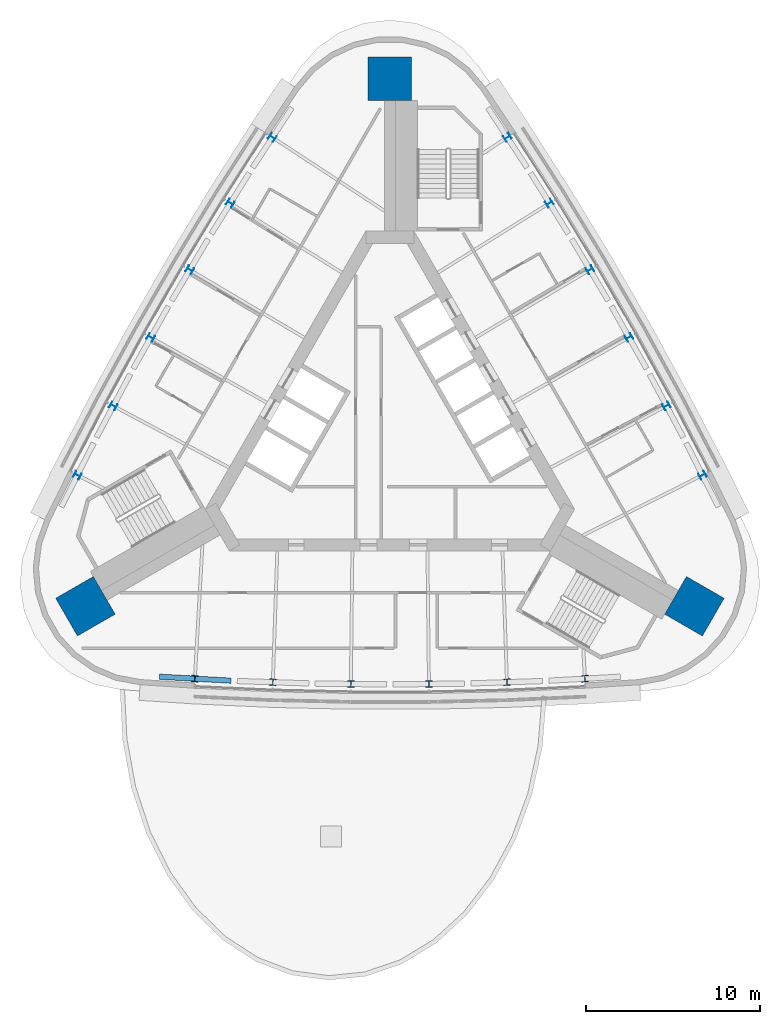
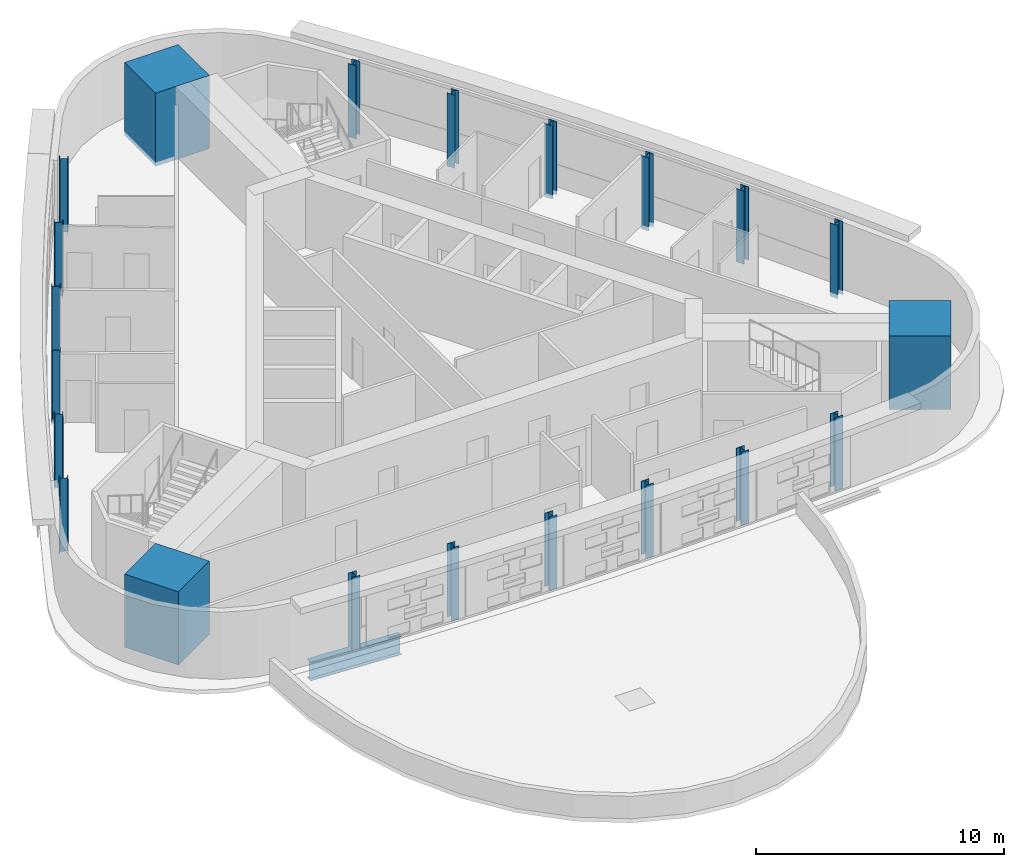
# One storey, part 1 of 9: 21 columns, 1 beam.
"""IFC4 building model written with IfcOpenShell, lengths in metres."""

from ifc_helpers import new_model, si_unit, direction, frame, origin, origin_2d, place, context, subcontext, project, spatial, rectangle, i_section, extrude, material, material_profile, profile_set, type_object, element, save


model = new_model("IFC4")

# Units and contexts
model_context = context("Model", 3, precision=1e-05, world=origin(), true_north=direction((0.0, 1.0)))
body_context = subcontext(model_context, "Body", "Model", "MODEL_VIEW")
ifc_project = project(units=[si_unit("LENGTHUNIT", "METRE"), si_unit("AREAUNIT", "SQUARE_METRE"), si_unit("VOLUMEUNIT", "CUBIC_METRE"), si_unit("PLANEANGLEUNIT", "RADIAN"), si_unit("MASSUNIT", "GRAM", prefix="KILO")], contexts=[model_context])

# Site, building, storey
site_placement = place(None, origin())
site = spatial("IfcSite", under=ifc_project, at=site_placement, CompositionType="ELEMENT")
building_placement = place(site_placement, origin())
building = spatial("IfcBuilding", under=site, at=building_placement, Name="Noor Cloister Tower", CompositionType="ELEMENT")
storey_placement = place(building_placement, frame((0.0, 0.0, 229.199951171875)))
storey = spatial("IfcBuildingStorey", under=building, at=storey_placement, Name="L59", CompositionType="ELEMENT", Elevation=229.199951171875)

# Columns
ifc_material_1 = material(Name="Steel ASTM A992 Gr 50", Category="steel")
ifc_material_profile_1 = material_profile(ifc_material_1, i_section(OverallWidth=0.373046875, OverallDepth=0.367919921875, WebThickness=0.014892578125, FlangeThickness=0.02392578125, FilletRadius=0.01513671875, at=origin_2d()), Name="W360x179")
ifc_profile_set_1 = profile_set([ifc_material_profile_1], Name="Steel ASTM A992 Gr 50")
column_type_1 = type_object("IfcColumnType", Name="Column W360x179", PredefinedType="COLUMN", material=ifc_profile_set_1)
for number, where, z_axis, x_axis, name in (
    (1, (-6.752685546875, 16.84619140625, -0.199951171875), (0.0, 0.0, 1.0), (-0.5482122141, -0.836339266274, 0.0), "Column NW 01 L59"),
    (2, (-9.169921875, 13.0654296875, -0.199951171875), (0.0, 0.0, 1.0), (-0.529129681863, -0.84854097118, 0.0), "Column NW 02 L59"),
    (3, (-11.501220703125, 9.23095703125, -0.199951171875), (0.0, 0.0, 1.0), (-0.509775693078, -0.860307353652, 0.0), "Column NW 03 L59"),
    (4, (-13.744873046875, 5.3447265625, -0.199951171875), (0.0, 0.0, 1.0), (-0.490160176786, -0.871632377263, 0.0), "Column NW 04 L59"),
    (5, (-15.89990234375, 1.40869140625, -0.199951171875), (0.0, 0.0, 1.0), (-0.470293196262, -0.88251023198, 0.0), "Column NW 05 L59"),
    (6, (-17.96533203125, -2.5751953125, -0.199951171875), (0.0, 0.0, 1.0), (-0.450184943726, -0.892935337212, 0.0), "Column NW 06 L59"),
    (7, (-11.212890625, -14.27099609375, -0.199951171875), (0.0, 0.0, 1.0), (0.998397157826, -0.056596070938, 0.0), "Column S 01 L59"),
    (8, (-6.72998046875, -14.47412109375, -0.199951171875), (0.0, 0.0, 1.0), (0.999422878126, -0.0339692608, 0.0), "Column S 02 L59"),
    (9, (-2.24365234375, -14.575927734375, -0.199951171875), (0.0, 0.0, 1.0), (0.999935869864, -0.011325023611, 0.0), "Column S 03 L59"),
    (10, (2.24365234375, -14.575927734375, -0.199951171875), (0.0, 0.0, 1.0), (0.999935869864, 0.011325023611, 0.0), "Column S 04 L59"),
    (11, (6.72998046875, -14.47412109375, -0.199951171875), (0.0, 0.0, 1.0), (0.999422878126, 0.0339692608, 0.0), "Column S 05 L59"),
    (12, (11.212890625, -14.27099609375, -0.199951171875), (0.0, 0.0, 1.0), (0.998397157826, 0.056596070938, 0.0), "Column S 06 L59"),
    (13, (17.96533203125, -2.5751953125, -0.199951171875), (0.0, 0.0, 1.0), (-0.450184943726, 0.892935337212, 0.0), "Column NE 01 L59"),
    (14, (15.89990234375, 1.40869140625, -0.199951171875), (0.0, 0.0, 1.0), (-0.470293196262, 0.88251023198, 0.0), "Column NE 02 L59"),
    (15, (13.744873046875, 5.3447265625, -0.199951171875), (0.0, 0.0, 1.0), (-0.490160176786, 0.871632377263, 0.0), "Column NE 03 L59"),
    (16, (11.501220703125, 9.23095703125, -0.199951171875), (0.0, 0.0, 1.0), (-0.509775693078, 0.860307353652, 0.0), "Column NE 04 L59"),
    (17, (9.169921875, 13.0654296875, -0.199951171875), (0.0, 0.0, 1.0), (-0.529129681863, 0.84854097118, 0.0), "Column NE 05 L59"),
    (18, (6.752685546875, 16.84619140625, -0.199951171875), (0.0, 0.0, 1.0), (-0.5482122141, 0.836339266274, 0.0), "Column NE 06 L59"),
):
    element("IfcColumn", number, at=place(storey_placement, frame(where, z_axis=z_axis, x_axis=x_axis)), inside=storey, type_object=column_type_1, Name=name, PredefinedType="COLUMN", context=body_context, shape_type="SweptSolid", body=[
        extrude(i_section(OverallWidth=0.373046875, OverallDepth=0.367919921875, WebThickness=0.014892578125, FlangeThickness=0.02392578125, FilletRadius=0.01513671875, at=origin_2d()), origin(), (0.0, 0.0, 1.0), 3.60009765625),
    ])
ifc_material_2 = material(Name="Concrete C60/75", Category="concrete")
ifc_material_profile_2 = material_profile(ifc_material_2, rectangle(XDim=2.5, YDim=2.5, at=origin_2d()), Name="RC 2500x2500")
ifc_profile_set_2 = profile_set([ifc_material_profile_2], Name="Concrete C60/75")
column_type_2 = type_object("IfcColumnType", Name="Corner pier 2500 x 2500 C60/75", PredefinedType="COLUMN", material=ifc_profile_set_2)
for number, where, z_axis, x_axis, name in (
    (19, (0.0, 20.212890625, -0.199951171875), (0.0, 0.0, 1.0), (0.0, 1.0, 0.0), "Corner pier N L59"),
    (20, (-17.5048828125, -10.1064453125, -0.199951171875), (0.0, 0.0, 1.0), (-0.866025403784, -0.5, 0.0), "Corner pier SW L59"),
    (21, (17.5048828125, -10.1064453125, -0.199951171875), (0.0, 0.0, 1.0), (0.866025403784, -0.5, 0.0), "Corner pier SE L59"),
):
    element("IfcColumn", number, at=place(storey_placement, frame(where, z_axis=z_axis, x_axis=x_axis)), inside=storey, type_object=column_type_2, Name=name, PredefinedType="COLUMN", context=body_context, shape_type="SweptSolid", body=[
        extrude(rectangle(XDim=2.5, YDim=2.5, at=origin_2d()), origin(), (0.0, 0.0, 1.0), 3.60009765625),
    ])

# Beam
ifc_material_3 = material(Name="Steel ASTM A992 Gr 50", Category="steel")
ifc_material_profile_3 = material_profile(ifc_material_3, i_section(OverallWidth=0.304931640625, OverallDepth=0.9189453125, WebThickness=0.017333984375, FlangeThickness=0.02783203125, FilletRadius=0.01904296875, at=origin_2d()), Name="W920x253")
ifc_profile_set_3 = profile_set([ifc_material_profile_3], Name="Steel ASTM A992 Gr 50")
beam_type = type_object("IfcBeamType", Name="Transfer girder W920x253", PredefinedType="BEAM", material=ifc_profile_set_3)
beam_placement = place(storey_placement, frame((-13.248291015625, -14.158203125, -0.659423828125), z_axis=(0.998469831997, -0.055299137356, 0.0), x_axis=(0.055299137356, 0.998469831997, 0.0)))
element("IfcBeam", 22, at=beam_placement, inside=storey, type_object=beam_type, Name="Transfer girder S 01 L59", PredefinedType="BEAM", context=body_context, shape_type="SweptSolid", body=[
    extrude(i_section(OverallWidth=0.304931640625, OverallDepth=0.9189453125, WebThickness=0.017333984375, FlangeThickness=0.02783203125, FilletRadius=0.01904296875, at=origin_2d()), origin(), (0.0, 0.0, 1.0), 4.11474609375),
])

save(model, "model.ifc")
